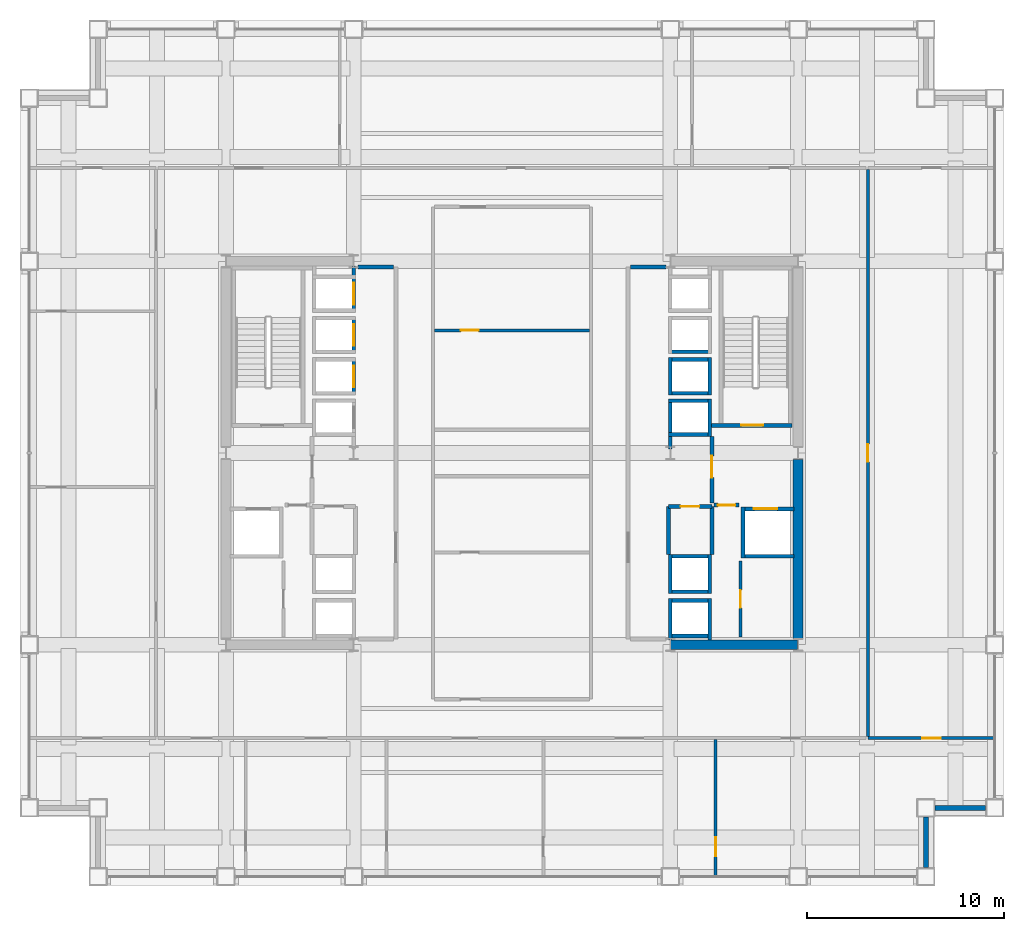
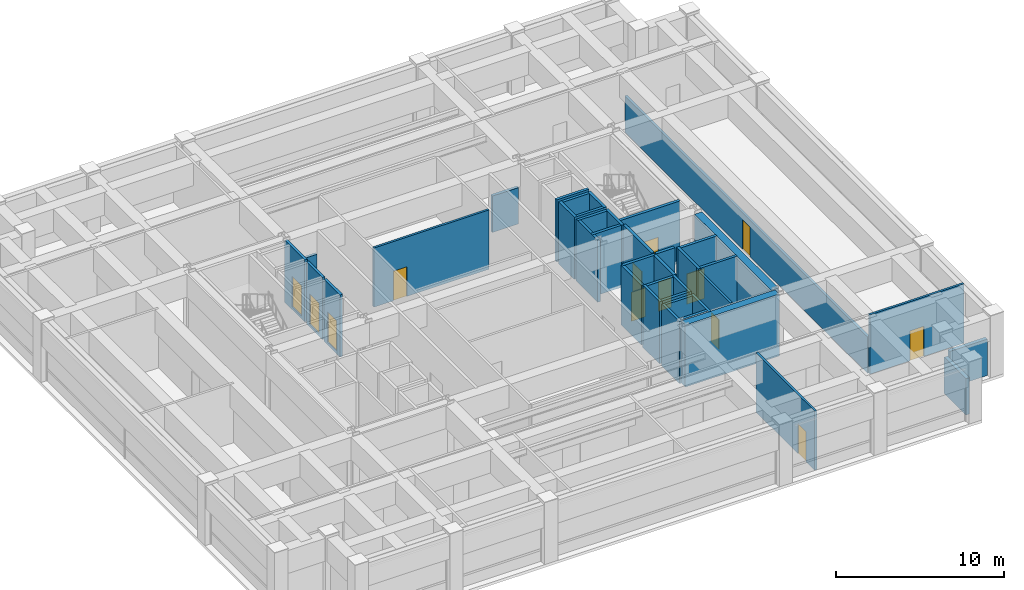
# One storey, part 27 of 29: 40 walls, 13 doors, 13 openings.
"""IFC4 building model written with IfcOpenShell, lengths in metres."""

from ifc_helpers import new_model, si_unit, direction, frame, frame_2d, origin, place, context, subcontext, project, spatial, rectangle, extrude, material, layer, layer_set, type_object, element, fill, save


model = new_model("IFC4")

# Units and contexts
model_context = context("Model", 3, precision=1e-05, world=origin(), true_north=direction((0.0, 1.0)))
body_context = subcontext(model_context, "Body", "Model", "MODEL_VIEW")
ifc_project = project(units=[si_unit("LENGTHUNIT", "METRE"), si_unit("AREAUNIT", "SQUARE_METRE"), si_unit("VOLUMEUNIT", "CUBIC_METRE"), si_unit("PLANEANGLEUNIT", "RADIAN"), si_unit("MASSUNIT", "GRAM", prefix="KILO")], contexts=[model_context])

# Site, building, storey
site_placement = place(None, origin())
site = spatial("IfcSite", under=ifc_project, at=site_placement, CompositionType="ELEMENT")
building_placement = place(site_placement, origin())
building = spatial("IfcBuilding", under=site, at=building_placement, Name="Brelmoor Portico Tower", CompositionType="ELEMENT")
storey_placement = place(building_placement, frame((0.0, 0.0, 82.800048828125)))
storey = spatial("IfcBuildingStorey", under=building, at=storey_placement, Name="L21", CompositionType="ELEMENT", Elevation=82.800048828125)

# Walls
ifc_material_1 = material(Name="Concrete C60", Category="concrete")
ifc_layer_1 = layer(ifc_material_1, 0.5)
ifc_layer_set_1 = layer_set([ifc_layer_1], Name="Concrete C60")
wall_type_1 = type_object("IfcWallType", Name="WL-CORE-500", PredefinedType="SHEAR", material=ifc_layer_set_1)
wall_1_placement = place(storey_placement, frame((8.070068359375, -9.75, -0.199951171875), z_axis=(0.0, 0.0, 1.0), x_axis=(1.0, 0.0, 0.0)))
element("IfcWall", 1, at=wall_1_placement, inside=storey, type_object=wall_type_1, Name="L21 EC South Shear Wall", PredefinedType="SHEAR", context=body_context, shape_type="SweptSolid", body=[
    extrude(rectangle(XDim=6.4599609375, YDim=0.5, at=frame_2d((3.22998046875, 0.0))), origin(), (0.0, 0.0, 1.0), 4.5),
])
wall_2_placement = place(storey_placement, frame((14.550048828125, -9.425048828125, -0.199951171875), z_axis=(0.0, 0.0, 1.0), x_axis=(0.0, 1.0, 0.0)))
element("IfcWall", 2, at=wall_2_placement, inside=storey, type_object=wall_type_1, Name="L21 EC Outer South Shear Wall", PredefinedType="SHEAR", context=body_context, shape_type="SweptSolid", body=[
    extrude(rectangle(XDim=9.10009765625, YDim=0.5, at=frame_2d((4.550048828125, 0.0))), origin(), (0.0, 0.0, 1.0), 4.5),
])
ifc_material_2 = material(Name="Precast Concrete C40 Insulated Facade Wall", Category="concrete")
ifc_layer_2 = layer(ifc_material_2, 0.25)
ifc_layer_set_2 = layer_set([ifc_layer_2], Name="Precast Concrete C40 Insulated Facade Wall")
wall_type_2 = type_object("IfcWallType", Name="WL-EXT-250", PredefinedType="STANDARD", material=ifc_layer_set_2)
for number, where, z_axis, x_axis, name in (
    (3, (21.510009765625, -18.050048828125, 0.0), (0.0, 0.0, 1.0), (1.0, 0.0, 0.0), "L21 Corner Notch Facade Wall NSEH1"),
    (4, (21.050048828125, -21.090087890625, 0.0), (0.0, 0.0, 1.0), (0.0, 1.0, 0.0), "L21 Corner Notch Facade Wall NSEV1"),
):
    element("IfcWall", number, at=place(storey_placement, frame(where, z_axis=z_axis, x_axis=x_axis)), inside=storey, type_object=wall_type_2, Name=name, PredefinedType="STANDARD", context=body_context, shape_type="SweptSolid", body=[
        extrude(rectangle(XDim=2.580078125, YDim=0.25, at=frame_2d((1.2900390625, 0.0))), origin(), (0.0, 0.0, 1.0), 2.639892578125),
    ])

# Wall, opening, door
ifc_material_3 = material(Name="Wet-Area Moisture-Resistant Partition", Category="gypsum")
ifc_layer_3 = layer(ifc_material_3, 0.14990234375)
ifc_layer_set_3 = layer_set([ifc_layer_3], Name="Wet-Area Moisture-Resistant Partition")
wall_type_3 = type_object("IfcWallType", Name="WL-PART-150", PredefinedType="PARTITIONING", material=ifc_layer_set_3)
wall_3_placement = place(storey_placement, frame((-3.949951171875, 6.239990234375, 0.0), z_axis=(0.0, 0.0, 1.0), x_axis=(1.0, 0.0, 0.0)))
wall_3 = element("IfcWall", 5, at=wall_3_placement, inside=storey, type_object=wall_type_3, Name="L21 Central Archive Divider", PredefinedType="PARTITIONING", context=body_context, shape_type="SweptSolid", body=[
    extrude(rectangle(XDim=7.89990234375, YDim=0.14990234375, at=frame_2d((3.949951171875, 0.0))), origin(), (0.0, 0.0, 1.0), 4.300048828125),
])
opening_1_placement = place(wall_3_placement, frame((1.35009765625, 0.0, 0.0)))
opening_1 = element("IfcOpeningElement", 6, at=opening_1_placement, cuts=wall_3, Name="Opening D-IN1", PredefinedType="OPENING", context=body_context, shape_type="SweptSolid", body=[
    extrude(rectangle(XDim=0.89990234375, YDim=2.14990234375, at=frame_2d((0.449951171875, 1.074951171875))), frame((0.0, 0.0849609375, 0.0), z_axis=(0.0, -1.0, 0.0), x_axis=(1.0, 0.0, 0.0)), (0.0, 0.0, 1.0), 0.169921875),
])
ifc_material_4 = material(Name="Lacquered Timber Suite Door", Category="wood")
door_type_1 = type_object("IfcDoorType", Name="DR-INT-900", OperationType="NOTDEFINED", PredefinedType="DOOR", material=ifc_material_4)
door_1_placement = place(opening_1_placement, origin())
door_1 = element("IfcDoor", 7, at=door_1_placement, inside=storey, type_object=door_type_1, Name="D-0928 L21 Central File Room Door", OperationType="SINGLE_SWING_LEFT", OverallHeight=2.14990234375, OverallWidth=0.89990234375, PredefinedType="DOOR", context=body_context, shape_type="SweptSolid", body=[
    extrude(rectangle(XDim=0.89990234375, YDim=2.14990234375, at=frame_2d((0.449951171875, 1.074951171875))), frame((0.0, 0.02490234375, 0.0), z_axis=(0.0, -1.0, 0.0), x_axis=(1.0, 0.0, 0.0)), (0.0, 0.0, 1.0), 0.050048828125),
])
fill(opening_1, door_1)

wall_4_placement = place(storey_placement, frame((10.353271484375, -21.56005859375, 0.0), z_axis=(0.0, 0.0, 1.0), x_axis=(0.0, 1.0, 0.0)))
wall_4 = element("IfcWall", 8, at=wall_4_placement, inside=storey, type_object=wall_type_3, Name="L21 South Suite Partition 4", PredefinedType="PARTITIONING", context=body_context, shape_type="SweptSolid", body=[
    extrude(rectangle(XDim=7.0, YDim=0.14990234375, at=frame_2d((3.5, 0.0))), origin(), (0.0, 0.0, 1.0), 4.300048828125),
])
opening_2_placement = place(wall_4_placement, frame((1.050048828125, 0.0, 0.0)))
opening_2 = element("IfcOpeningElement", 9, at=opening_2_placement, cuts=wall_4, Name="Opening D-IN2", PredefinedType="OPENING", context=body_context, shape_type="SweptSolid", body=[
    extrude(rectangle(XDim=0.9599609375, YDim=2.179931640625, at=frame_2d((0.47998046875, 1.08984375))), frame((0.0, 0.0849609375, 0.0), z_axis=(0.0, -1.0, 0.0), x_axis=(1.0, 0.0, 0.0)), (0.0, 0.0, 1.0), 0.169921875),
])
door_type_2 = type_object("IfcDoorType", Name="DR-INT-950", OperationType="NOTDEFINED", PredefinedType="DOOR", material=ifc_material_4)
door_2_placement = place(opening_2_placement, origin())
door_2 = element("IfcDoor", 10, at=door_2_placement, inside=storey, type_object=door_type_2, Name="D-0956 L21 South Suite Connecting Door 4", OperationType="SINGLE_SWING_RIGHT", OverallHeight=2.179931640625, OverallWidth=0.9599609375, PredefinedType="DOOR", context=body_context, shape_type="SweptSolid", body=[
    extrude(rectangle(XDim=0.9599609375, YDim=2.179931640625, at=frame_2d((0.47998046875, 1.08984375))), frame((0.0, 0.02490234375, 0.0), z_axis=(0.0, -1.0, 0.0), x_axis=(1.0, 0.0, 0.0)), (0.0, 0.0, 1.0), 0.050048828125),
])
fill(opening_2, door_2)

wall_5_placement = place(storey_placement, frame((18.10009765625, -14.5, 0.0), z_axis=(0.0, 0.0, 1.0), x_axis=(1.0, 0.0, 0.0)))
wall_5 = element("IfcWall", 11, at=wall_5_placement, inside=storey, type_object=wall_type_3, Name="L21 South Outer Closure ER", PredefinedType="PARTITIONING", context=body_context, shape_type="SweptSolid", body=[
    extrude(rectangle(XDim=6.4599609375, YDim=0.14990234375, at=frame_2d((3.22998046875, 0.0))), origin(), (0.0, 0.0, 1.0), 4.300048828125),
])
opening_3_placement = place(wall_5_placement, frame((2.75, 0.0, 0.0)))
opening_3 = element("IfcOpeningElement", 12, at=opening_3_placement, cuts=wall_5, Name="Opening D-IN2", PredefinedType="OPENING", context=body_context, shape_type="SweptSolid", body=[
    extrude(rectangle(XDim=0.9599609375, YDim=2.179931640625, at=frame_2d((0.47998046875, 1.08984375))), frame((0.0, 0.0849609375, 0.0), z_axis=(0.0, -1.0, 0.0), x_axis=(1.0, 0.0, 0.0)), (0.0, 0.0, 1.0), 0.169921875),
])
door_3_placement = place(opening_3_placement, origin())
door_3 = element("IfcDoor", 13, at=door_3_placement, inside=storey, type_object=door_type_2, Name="D-0959 L21 ER South Corner Suite Door", OperationType="SINGLE_SWING_RIGHT", OverallHeight=2.179931640625, OverallWidth=0.9599609375, PredefinedType="DOOR", context=body_context, shape_type="SweptSolid", body=[
    extrude(rectangle(XDim=0.9599609375, YDim=2.179931640625, at=frame_2d((0.47998046875, 1.08984375))), frame((0.0, 0.02490234375, 0.0), z_axis=(0.0, -1.0, 0.0), x_axis=(1.0, 0.0, 0.0)), (0.0, 0.0, 1.0), 0.050048828125),
])
fill(opening_3, door_3)

ifc_material_5 = material(Name="Twin-Frame Acoustic Partition", Category="gypsum")
ifc_layer_4 = layer(ifc_material_5, 0.159912109375)
ifc_layer_set_4 = layer_set([ifc_layer_4], Name="Twin-Frame Acoustic Partition")
wall_type_4 = type_object("IfcWallType", Name="WL-PART-160", PredefinedType="PARTITIONING", material=ifc_layer_set_4)
wall_6_placement = place(storey_placement, frame((11.6201171875, -9.35009765625, 0.0), z_axis=(0.0, 0.0, 1.0), x_axis=(0.0, 1.0, 0.0)))
wall_6 = element("IfcWall", 14, at=wall_6_placement, inside=storey, type_object=wall_type_4, Name="L21 E Core Service Front Wall", PredefinedType="PARTITIONING", context=body_context, shape_type="SweptSolid", body=[
    extrude(rectangle(XDim=3.85009765625, YDim=0.159912109375, at=frame_2d((1.925048828125, 0.0))), origin(), (0.0, 0.0, 1.0), 4.300048828125),
])
opening_4_placement = place(wall_6_placement, frame((1.47509765625, 0.0, 0.0)))
opening_4 = element("IfcOpeningElement", 15, at=opening_4_placement, cuts=wall_6, Name="Opening D-IN1", PredefinedType="OPENING", context=body_context, shape_type="SweptSolid", body=[
    extrude(rectangle(XDim=0.89990234375, YDim=2.14990234375, at=frame_2d((0.449951171875, 1.074951171875))), frame((0.0, 0.08984375, 0.0), z_axis=(0.0, -1.0, 0.0), x_axis=(1.0, 0.0, 0.0)), (0.0, 0.0, 1.0), 0.179931640625),
])
door_4_placement = place(opening_4_placement, origin())
door_4 = element("IfcDoor", 16, at=door_4_placement, inside=storey, type_object=door_type_1, Name="D-0931 L21 E Male WC Door", OperationType="SINGLE_SWING_RIGHT", OverallHeight=2.14990234375, OverallWidth=0.89990234375, PredefinedType="DOOR", context=body_context, shape_type="SweptSolid", body=[
    extrude(rectangle(XDim=0.89990234375, YDim=2.14990234375, at=frame_2d((0.449951171875, 1.074951171875))), frame((0.0, 0.02490234375, 0.0), z_axis=(0.0, -1.0, 0.0), x_axis=(1.0, 0.0, 0.0)), (0.0, 0.0, 1.0), 0.050048828125),
])
fill(opening_4, door_4)

wall_7_placement = place(storey_placement, frame((18.10009765625, -14.419921875, 0.0), z_axis=(0.0, 0.0, 1.0), x_axis=(0.0, 1.0, 0.0)))
wall_7 = element("IfcWall", 17, at=wall_7_placement, inside=storey, type_object=wall_type_4, Name="L21 E Wing Corridor Wall", PredefinedType="PARTITIONING", context=body_context, shape_type="SweptSolid", body=[
    extrude(rectangle(XDim=28.83984375, YDim=0.159912109375, at=frame_2d((14.419921875, 0.0))), origin(), (0.0, 0.0, 1.0), 2.639892578125),
])
opening_5_placement = place(wall_7_placement, frame((13.969970703125, 0.0, 0.0)))
opening_5 = element("IfcOpeningElement", 18, at=opening_5_placement, cuts=wall_7, Name="Opening D-IN1", PredefinedType="OPENING", context=body_context, shape_type="SweptSolid", body=[
    extrude(rectangle(XDim=0.89990234375, YDim=2.14990234375, at=frame_2d((0.449951171875, 1.074951171875))), frame((0.0, 0.08984375, 0.0), z_axis=(0.0, -1.0, 0.0), x_axis=(1.0, 0.0, 0.0)), (0.0, 0.0, 1.0), 0.179931640625),
])
door_5_placement = place(opening_5_placement, origin())
door_5 = element("IfcDoor", 19, at=door_5_placement, inside=storey, type_object=door_type_1, Name="D-0961 L21 E Partner Cellular Office 1 Door", OperationType="SINGLE_SWING_RIGHT", OverallHeight=2.14990234375, OverallWidth=0.89990234375, PredefinedType="DOOR", context=body_context, shape_type="SweptSolid", body=[
    extrude(rectangle(XDim=0.89990234375, YDim=2.14990234375, at=frame_2d((0.449951171875, 1.074951171875))), frame((0.0, 0.02490234375, 0.0), z_axis=(0.0, -1.0, 0.0), x_axis=(1.0, 0.0, 0.0)), (0.0, 0.0, 1.0), 0.050048828125),
])
fill(opening_5, door_5)

# Walls
ifc_material_6 = material(Name="Double-Stud Gypsum Fire Partition", Category="gypsum")
ifc_layer_5 = layer(ifc_material_6, 0.199951171875)
ifc_layer_set_5 = layer_set([ifc_layer_5], Name="Double-Stud Gypsum Fire Partition")
wall_type_5 = type_object("IfcWallType", Name="WL-PART-200", PredefinedType="PARTITIONING", material=ifc_layer_set_5)
for number, where, z_axis, x_axis, name in (
    (20, (-6.02001953125, 9.449951171875, 0.0), (0.0, 0.0, 1.0), (-1.0, 0.0, 0.0), "L21 W Lift Lobby North End Wall"),
    (21, (6.02001953125, 9.449951171875, 0.0), (0.0, 0.0, 1.0), (1.0, 0.0, 0.0), "L21 E Lift Lobby North End Wall"),
):
    element("IfcWall", number, at=place(storey_placement, frame(where, z_axis=z_axis, x_axis=x_axis)), inside=storey, type_object=wall_type_5, Name=name, PredefinedType="PARTITIONING", context=body_context, shape_type="SweptSolid", body=[
        extrude(rectangle(XDim=1.800048828125, YDim=0.199951171875, at=frame_2d((0.89990234375, 0.0))), origin(), (0.0, 0.0, 1.0), 2.639892578125),
    ])

# Wall, opening, door
wall_8_placement = place(storey_placement, frame((10.159912109375, -2.550048828125, 0.0), z_axis=(0.0, 0.0, 1.0), x_axis=(0.0, 1.0, 0.0)))
wall_8 = element("IfcWall", 22, at=wall_8_placement, inside=storey, type_object=wall_type_5, Name="L21 E Firefighting Lobby Wall", PredefinedType="PARTITIONING", context=body_context, shape_type="SweptSolid", body=[
    extrude(rectangle(XDim=3.400146484375, YDim=0.199951171875, at=frame_2d((1.7001953125, 0.0))), origin(), (0.0, 0.0, 1.0), 4.300048828125),
])
opening_6_placement = place(wall_8_placement, frame((1.300048828125, 0.0, 0.0)))
opening_6 = element("IfcOpeningElement", 23, at=opening_6_placement, cuts=wall_8, Name="Opening D-FR1", PredefinedType="OPENING", context=body_context, shape_type="SweptSolid", body=[
    extrude(rectangle(XDim=1.10009765625, YDim=2.14990234375, at=frame_2d((0.550048828125, 1.074951171875))), frame((0.0, 0.10986328125, 0.0), z_axis=(0.0, -1.0, 0.0), x_axis=(1.0, 0.0, 0.0)), (0.0, 0.0, 1.0), 0.219970703125),
])
ifc_material_7 = material(Name="Painted Galvanised Steel Fire Door", Category="steel")
door_type_3 = type_object("IfcDoorType", Name="DR-FIRE-1100", OperationType="NOTDEFINED", PredefinedType="DOOR", material=ifc_material_7)
door_6_placement = place(opening_6_placement, origin())
door_6 = element("IfcDoor", 24, at=door_6_placement, inside=storey, type_object=door_type_3, Name="D-0937 L21 E Firefighting Lobby Door", OperationType="SINGLE_SWING_LEFT", OverallHeight=2.14990234375, OverallWidth=1.10009765625, PredefinedType="DOOR", context=body_context, shape_type="SweptSolid", body=[
    extrude(rectangle(XDim=1.10009765625, YDim=2.14990234375, at=frame_2d((0.550048828125, 1.074951171875))), frame((0.0, 0.02490234375, 0.0), z_axis=(0.0, -1.0, 0.0), x_axis=(1.0, 0.0, 0.0)), (0.0, 0.0, 1.0), 0.050048828125),
])
fill(opening_6, door_6)

wall_9_placement = place(storey_placement, frame((10.280029296875, -2.64990234375, 0.0), z_axis=(0.0, 0.0, 1.0), x_axis=(1.0, 0.0, 0.0)))
wall_9 = element("IfcWall", 25, at=wall_9_placement, inside=storey, type_object=wall_type_5, Name="L21 E Firefighting Lobby South Wall", PredefinedType="PARTITIONING", context=body_context, shape_type="SweptSolid", body=[
    extrude(rectangle(XDim=1.27001953125, YDim=0.199951171875, at=frame_2d((0.635009765625, 0.0))), origin(), (0.0, 0.0, 1.0), 4.300048828125),
])
opening_7_placement = place(wall_9_placement, frame((0.18505859375, 0.0, 0.0)))
opening_7 = element("IfcOpeningElement", 26, at=opening_7_placement, cuts=wall_9, Name="Opening D-IN1", PredefinedType="OPENING", context=body_context, shape_type="SweptSolid", body=[
    extrude(rectangle(XDim=0.89990234375, YDim=2.14990234375, at=frame_2d((0.449951171875, 1.074951171875))), frame((0.0, 0.10986328125, 0.0), z_axis=(0.0, -1.0, 0.0), x_axis=(1.0, 0.0, 0.0)), (0.0, 0.0, 1.0), 0.219970703125),
])
door_7_placement = place(opening_7_placement, origin())
door_7 = element("IfcDoor", 27, at=door_7_placement, inside=storey, type_object=door_type_1, Name="D-0932 L21 E Core Service Vestibule Door", OperationType="SINGLE_SWING_RIGHT", OverallHeight=2.14990234375, OverallWidth=0.89990234375, PredefinedType="DOOR", context=body_context, shape_type="SweptSolid", body=[
    extrude(rectangle(XDim=0.89990234375, YDim=2.14990234375, at=frame_2d((0.449951171875, 1.074951171875))), frame((0.0, 0.02490234375, 0.0), z_axis=(0.0, -1.0, 0.0), x_axis=(1.0, 0.0, 0.0)), (0.0, 0.0, 1.0), 0.050048828125),
])
fill(opening_7, door_7)

wall_10_placement = place(storey_placement, frame((7.9599609375, -2.719970703125, 0.0), z_axis=(0.0, 0.0, 1.0), x_axis=(1.0, 0.0, 0.0)))
wall_10 = element("IfcWall", 28, at=wall_10_placement, inside=storey, type_object=wall_type_5, Name="L21 E Electrical Switchgear Closet Wall", PredefinedType="PARTITIONING", context=body_context, shape_type="SweptSolid", body=[
    extrude(rectangle(XDim=2.199951171875, YDim=0.199951171875, at=frame_2d((1.10009765625, 0.0))), origin(), (0.0, 0.0, 1.0), 4.300048828125),
])
opening_8_placement = place(wall_10_placement, frame((0.6201171875, 0.0, 0.0)))
opening_8 = element("IfcOpeningElement", 29, at=opening_8_placement, cuts=wall_10, Name="Opening D-FR4", PredefinedType="OPENING", context=body_context, shape_type="SweptSolid", body=[
    extrude(rectangle(XDim=0.949951171875, YDim=2.10009765625, at=frame_2d((0.47509765625, 1.050048828125))), frame((0.0, 0.10986328125, 0.0), z_axis=(0.0, -1.0, 0.0), x_axis=(1.0, 0.0, 0.0)), (0.0, 0.0, 1.0), 0.219970703125),
])
ifc_material_8 = material(Name="Painted Galvanised Steel Riser Door", Category="steel")
door_type_4 = type_object("IfcDoorType", Name="DR-FIRE-950", OperationType="NOTDEFINED", PredefinedType="DOOR", material=ifc_material_8)
door_8_placement = place(opening_8_placement, origin())
door_8 = element("IfcDoor", 30, at=door_8_placement, inside=storey, type_object=door_type_4, Name="D-0935 L21 E Electrical Switchgear Closet Door", OperationType="SINGLE_SWING_LEFT", OverallHeight=2.10009765625, OverallWidth=0.949951171875, PredefinedType="DOOR", context=body_context, shape_type="SweptSolid", body=[
    extrude(rectangle(XDim=0.949951171875, YDim=2.10009765625, at=frame_2d((0.47509765625, 1.050048828125))), frame((0.0, 0.02490234375, 0.0), z_axis=(0.0, -1.0, 0.0), x_axis=(1.0, 0.0, 0.0)), (0.0, 0.0, 1.0), 0.050048828125),
])
fill(opening_8, door_8)

# Walls
for number, where, z_axis, x_axis, name in (
    (31, (7.9599609375, -5.159912109375, 0.0), (0.0, 0.0, 1.0), (0.0, 1.0, 0.0), "L21 E Electrical Switchgear Closet Inner Wall"),
    (32, (10.159912109375, -5.159912109375, 0.0), (0.0, 0.0, 1.0), (0.0, 1.0, 0.0), "L21 E Electrical Switchgear Closet Outer Wall"),
):
    element("IfcWall", number, at=place(storey_placement, frame(where, z_axis=z_axis, x_axis=x_axis)), inside=storey, type_object=wall_type_5, Name=name, PredefinedType="PARTITIONING", context=body_context, shape_type="SweptSolid", body=[
        extrude(rectangle(XDim=2.43994140625, YDim=0.199951171875, at=frame_2d((1.219970703125, 0.0))), origin(), (0.0, 0.0, 1.0), 4.300048828125),
    ])

# Wall, opening, door
ifc_material_9 = material(Name="Precast Concrete C40", Category="concrete")
ifc_layer_6 = layer(ifc_material_9, 0.18994140625)
ifc_layer_set_6 = layer_set([ifc_layer_6], Name="Precast Concrete C40")
wall_type_6 = type_object("IfcWallType", Name="WL-SHAFT-180", PredefinedType="SOLIDWALL", material=ifc_layer_set_6)
wall_11_placement = place(storey_placement, frame((-8.044921875, 2.949951171875, -0.199951171875), z_axis=(0.0, 0.0, 1.0), x_axis=(0.0, 1.0, 0.0)))
wall_11 = element("IfcWall", 33, at=wall_11_placement, inside=storey, type_object=wall_type_6, Name="L21 Lift PL2 Hoistway Front Wall", PredefinedType="SOLIDWALL", context=body_context, shape_type="SweptSolid", body=[
    extrude(rectangle(XDim=1.900146484375, YDim=0.18994140625, at=frame_2d((0.9501953125, 0.0))), origin(), (0.0, 0.0, 1.0), 4.5),
])
opening_9_placement = place(wall_11_placement, frame((0.39990234375, 0.0, 0.199951171875)))
opening_9 = element("IfcOpeningElement", 34, at=opening_9_placement, cuts=wall_11, Name="Opening LD-01", PredefinedType="OPENING", context=body_context, shape_type="SweptSolid", body=[
    extrude(rectangle(XDim=1.10009765625, YDim=2.199951171875, at=frame_2d((0.550048828125, 1.10009765625))), frame((0.0, 0.10498046875, 0.0), z_axis=(0.0, -1.0, 0.0), x_axis=(1.0, 0.0, 0.0)), (0.0, 0.0, 1.0), 0.2099609375),
])
ifc_material_10 = material(Name="Brushed Stainless Steel Sliding Lift Door", Category="steel")
door_type_5 = type_object("IfcDoorType", Name="DR-LIFT-1100", OperationType="NOTDEFINED", PredefinedType="DOOR", material=ifc_material_10)
door_9_placement = place(opening_9_placement, origin())
door_9 = element("IfcDoor", 35, at=door_9_placement, inside=storey, type_object=door_type_5, Name="D-0970 L21 Lift PL2 Sliding Landing Door", OperationType="SLIDING_TO_LEFT", OverallHeight=2.199951171875, OverallWidth=1.10009765625, PredefinedType="DOOR", context=body_context, shape_type="SweptSolid", body=[
    extrude(rectangle(XDim=1.10009765625, YDim=2.199951171875, at=frame_2d((0.550048828125, 1.10009765625))), frame((0.0, 0.02490234375, 0.0), z_axis=(0.0, -1.0, 0.0), x_axis=(1.0, 0.0, 0.0)), (0.0, 0.0, 1.0), 0.050048828125),
])
fill(opening_9, door_9)

wall_12_placement = place(storey_placement, frame((-8.044921875, 5.050048828125, -0.199951171875), z_axis=(0.0, 0.0, 1.0), x_axis=(0.0, 1.0, 0.0)))
wall_12 = element("IfcWall", 36, at=wall_12_placement, inside=storey, type_object=wall_type_6, Name="L21 Lift PL3 Hoistway Front Wall", PredefinedType="SOLIDWALL", context=body_context, shape_type="SweptSolid", body=[
    extrude(rectangle(XDim=1.89990234375, YDim=0.18994140625, at=frame_2d((0.949951171875, 0.0))), origin(), (0.0, 0.0, 1.0), 4.5),
])
opening_10_placement = place(wall_12_placement, frame((0.39990234375, 0.0, 0.199951171875)))
opening_10 = element("IfcOpeningElement", 37, at=opening_10_placement, cuts=wall_12, Name="Opening LD-01", PredefinedType="OPENING", context=body_context, shape_type="SweptSolid", body=[
    extrude(rectangle(XDim=1.10009765625, YDim=2.199951171875, at=frame_2d((0.550048828125, 1.10009765625))), frame((0.0, 0.10498046875, 0.0), z_axis=(0.0, -1.0, 0.0), x_axis=(1.0, 0.0, 0.0)), (0.0, 0.0, 1.0), 0.2099609375),
])
door_10_placement = place(opening_10_placement, origin())
door_10 = element("IfcDoor", 38, at=door_10_placement, inside=storey, type_object=door_type_5, Name="D-0971 L21 Lift PL3 Sliding Landing Door", OperationType="SLIDING_TO_LEFT", OverallHeight=2.199951171875, OverallWidth=1.10009765625, PredefinedType="DOOR", context=body_context, shape_type="SweptSolid", body=[
    extrude(rectangle(XDim=1.10009765625, YDim=2.199951171875, at=frame_2d((0.550048828125, 1.10009765625))), frame((0.0, 0.02490234375, 0.0), z_axis=(0.0, -1.0, 0.0), x_axis=(1.0, 0.0, 0.0)), (0.0, 0.0, 1.0), 0.050048828125),
])
fill(opening_10, door_10)

wall_13_placement = place(storey_placement, frame((-8.044921875, 7.14990234375, -0.199951171875), z_axis=(0.0, 0.0, 1.0), x_axis=(0.0, 1.0, 0.0)))
wall_13 = element("IfcWall", 39, at=wall_13_placement, inside=storey, type_object=wall_type_6, Name="L21 Lift PL4 Hoistway Front Wall", PredefinedType="SOLIDWALL", context=body_context, shape_type="SweptSolid", body=[
    extrude(rectangle(XDim=2.3701171875, YDim=0.18994140625, at=frame_2d((1.18505859375, 0.0))), origin(), (0.0, 0.0, 1.0), 4.5),
])
opening_11_placement = place(wall_13_placement, frame((0.39990234375, 0.0, 0.199951171875)))
opening_11 = element("IfcOpeningElement", 40, at=opening_11_placement, cuts=wall_13, Name="Opening LD-01", PredefinedType="OPENING", context=body_context, shape_type="SweptSolid", body=[
    extrude(rectangle(XDim=1.10009765625, YDim=2.199951171875, at=frame_2d((0.550048828125, 1.10009765625))), frame((0.0, 0.10498046875, 0.0), z_axis=(0.0, -1.0, 0.0), x_axis=(1.0, 0.0, 0.0)), (0.0, 0.0, 1.0), 0.2099609375),
])
door_11_placement = place(opening_11_placement, origin())
door_11 = element("IfcDoor", 41, at=door_11_placement, inside=storey, type_object=door_type_5, Name="D-0972 L21 Lift PL4 Sliding Landing Door", OperationType="SLIDING_TO_LEFT", OverallHeight=2.199951171875, OverallWidth=1.10009765625, PredefinedType="DOOR", context=body_context, shape_type="SweptSolid", body=[
    extrude(rectangle(XDim=1.10009765625, YDim=2.199951171875, at=frame_2d((0.550048828125, 1.10009765625))), frame((0.0, 0.02490234375, 0.0), z_axis=(0.0, -1.0, 0.0), x_axis=(1.0, 0.0, 0.0)), (0.0, 0.0, 1.0), 0.050048828125),
])
fill(opening_11, door_11)

# Walls
wall_14_placement = place(storey_placement, frame((8.044921875, 0.2099609375, -0.199951171875), z_axis=(0.0, 0.0, 1.0), x_axis=(0.0, 1.0, 0.0)))
element("IfcWall", 42, at=wall_14_placement, inside=storey, type_object=wall_type_6, Name="L21 Lift PM1 Hoistway Front Wall", PredefinedType="SOLIDWALL", context=body_context, shape_type="SweptSolid", body=[
    extrude(rectangle(XDim=2.5400390625, YDim=0.18994140625, at=frame_2d((1.27001953125, 0.0))), origin(), (0.0, 0.0, 1.0), 4.5),
])
wall_15_placement = place(storey_placement, frame((10.054931640625, 0.85009765625, -0.199951171875), z_axis=(0.0, 0.0, 1.0), x_axis=(0.0, 1.0, 0.0)))
element("IfcWall", 43, at=wall_15_placement, inside=storey, type_object=wall_type_6, Name="L21 Lift PM1 Hoistway Back Wall", PredefinedType="SOLIDWALL", context=body_context, shape_type="SweptSolid", body=[
    extrude(rectangle(XDim=1.89990234375, YDim=0.18994140625, at=frame_2d((0.949951171875, 0.0))), origin(), (0.0, 0.0, 1.0), 4.5),
])
for number, where, z_axis, x_axis, name in (
    (44, (7.949951171875, 2.655029296875, -0.199951171875), (0.0, 0.0, 1.0), (1.0, 0.0, 0.0), "L21 Lift PM1 Hoistway North Wall"),
    (45, (7.949951171875, 0.945068359375, -0.199951171875), (0.0, 0.0, 1.0), (1.0, 0.0, 0.0), "L21 Lift PM1 Hoistway South Wall"),
):
    element("IfcWall", number, at=place(storey_placement, frame(where, z_axis=z_axis, x_axis=x_axis)), inside=storey, type_object=wall_type_6, Name=name, PredefinedType="SOLIDWALL", context=body_context, shape_type="SweptSolid", body=[
        extrude(rectangle(XDim=2.199951171875, YDim=0.18994140625, at=frame_2d((1.10009765625, 0.0))), origin(), (0.0, 0.0, 1.0), 4.5),
    ])
for number, where, z_axis, x_axis, name in (
    (46, (8.044921875, 2.949951171875, -0.199951171875), (0.0, 0.0, 1.0), (0.0, 1.0, 0.0), "L21 Lift PM2 Hoistway Front Wall"),
    (47, (10.054931640625, 2.949951171875, -0.199951171875), (0.0, 0.0, 1.0), (0.0, 1.0, 0.0), "L21 Lift PM2 Hoistway Back Wall"),
):
    element("IfcWall", number, at=place(storey_placement, frame(where, z_axis=z_axis, x_axis=x_axis)), inside=storey, type_object=wall_type_6, Name=name, PredefinedType="SOLIDWALL", context=body_context, shape_type="SweptSolid", body=[
        extrude(rectangle(XDim=1.900146484375, YDim=0.18994140625, at=frame_2d((0.9501953125, 0.0))), origin(), (0.0, 0.0, 1.0), 4.5),
    ])
for number, where, z_axis, x_axis, name in (
    (48, (7.949951171875, 4.7548828125, -0.199951171875), (0.0, 0.0, 1.0), (1.0, 0.0, 0.0), "L21 Lift PM2 Hoistway North Wall"),
    (49, (7.949951171875, 3.044921875, -0.199951171875), (0.0, 0.0, 1.0), (1.0, 0.0, 0.0), "L21 Lift PM2 Hoistway South Wall"),
    (50, (7.949951171875, 5.14501953125, -0.199951171875), (0.0, 0.0, 1.0), (1.0, 0.0, 0.0), "L21 Lift PM3 Hoistway South Wall"),
):
    element("IfcWall", number, at=place(storey_placement, frame(where, z_axis=z_axis, x_axis=x_axis)), inside=storey, type_object=wall_type_6, Name=name, PredefinedType="SOLIDWALL", context=body_context, shape_type="SweptSolid", body=[
        extrude(rectangle(XDim=2.199951171875, YDim=0.18994140625, at=frame_2d((1.10009765625, 0.0))), origin(), (0.0, 0.0, 1.0), 4.5),
    ])
for number, where, z_axis, x_axis, name in (
    (51, (8.044921875, -9.52001953125, -0.199951171875), (0.0, 0.0, 1.0), (0.0, 1.0, 0.0), "L21 Lift PH3 Hoistway Front Wall"),
    (52, (10.054931640625, -9.52001953125, -0.199951171875), (0.0, 0.0, 1.0), (0.0, 1.0, 0.0), "L21 Lift PH3 Hoistway Back Wall"),
):
    element("IfcWall", number, at=place(storey_placement, frame(where, z_axis=z_axis, x_axis=x_axis)), inside=storey, type_object=wall_type_6, Name=name, PredefinedType="SOLIDWALL", context=body_context, shape_type="SweptSolid", body=[
        extrude(rectangle(XDim=2.1201171875, YDim=0.18994140625, at=frame_2d((1.06005859375, 0.0))), origin(), (0.0, 0.0, 1.0), 4.5),
    ])
for number, where, z_axis, x_axis, name in (
    (53, (7.949951171875, -7.4951171875, -0.199951171875), (0.0, 0.0, 1.0), (1.0, 0.0, 0.0), "L21 Lift PH3 Hoistway North Wall"),
    (54, (7.949951171875, -9.304931640625, -0.199951171875), (0.0, 0.0, 1.0), (1.0, 0.0, 0.0), "L21 Lift PH3 Hoistway South Wall"),
):
    element("IfcWall", number, at=place(storey_placement, frame(where, z_axis=z_axis, x_axis=x_axis)), inside=storey, type_object=wall_type_6, Name=name, PredefinedType="SOLIDWALL", context=body_context, shape_type="SweptSolid", body=[
        extrude(rectangle(XDim=2.199951171875, YDim=0.18994140625, at=frame_2d((1.10009765625, 0.0))), origin(), (0.0, 0.0, 1.0), 4.5),
    ])
for number, where, z_axis, x_axis, name in (
    (55, (8.044921875, -7.14990234375, -0.199951171875), (0.0, 0.0, 1.0), (0.0, 1.0, 0.0), "L21 Lift PH4 Hoistway Front Wall"),
    (56, (10.054931640625, -7.14990234375, -0.199951171875), (0.0, 0.0, 1.0), (0.0, 1.0, 0.0), "L21 Lift PH4 Hoistway Back Wall"),
):
    element("IfcWall", number, at=place(storey_placement, frame(where, z_axis=z_axis, x_axis=x_axis)), inside=storey, type_object=wall_type_6, Name=name, PredefinedType="SOLIDWALL", context=body_context, shape_type="SweptSolid", body=[
        extrude(rectangle(XDim=2.0, YDim=0.18994140625, at=frame_2d((1.0, 0.0))), origin(), (0.0, 0.0, 1.0), 4.5),
    ])
for number, where, z_axis, x_axis, name in (
    (57, (7.949951171875, -5.2451171875, -0.199951171875), (0.0, 0.0, 1.0), (1.0, 0.0, 0.0), "L21 Lift PH4 Hoistway North Wall"),
    (58, (7.949951171875, -7.054931640625, -0.199951171875), (0.0, 0.0, 1.0), (1.0, 0.0, 0.0), "L21 Lift PH4 Hoistway South Wall"),
):
    element("IfcWall", number, at=place(storey_placement, frame(where, z_axis=z_axis, x_axis=x_axis)), inside=storey, type_object=wall_type_6, Name=name, PredefinedType="SOLIDWALL", context=body_context, shape_type="SweptSolid", body=[
        extrude(rectangle(XDim=2.199951171875, YDim=0.18994140625, at=frame_2d((1.10009765625, 0.0))), origin(), (0.0, 0.0, 1.0), 4.5),
    ])

# Wall, opening, door
wall_16_placement = place(storey_placement, frame((11.64990234375, -2.844970703125, -0.199951171875), z_axis=(0.0, 0.0, 1.0), x_axis=(1.0, 0.0, 0.0)))
wall_16 = element("IfcWall", 59, at=wall_16_placement, inside=storey, type_object=wall_type_6, Name="L21 Lift FF2 Hoistway Front Wall", PredefinedType="SOLIDWALL", context=body_context, shape_type="SweptSolid", body=[
    extrude(rectangle(XDim=2.68017578125, YDim=0.18994140625, at=frame_2d((1.340087890625, 0.0))), origin(), (0.0, 0.0, 1.0), 4.5),
])
opening_12_placement = place(wall_16_placement, frame((0.64990234375, 0.0, 0.199951171875)))
opening_12 = element("IfcOpeningElement", 60, at=opening_12_placement, cuts=wall_16, Name="Opening LD-02", PredefinedType="OPENING", context=body_context, shape_type="SweptSolid", body=[
    extrude(rectangle(XDim=1.199951171875, YDim=2.199951171875, at=frame_2d((0.60009765625, 1.10009765625))), frame((0.0, 0.10498046875, 0.0), z_axis=(0.0, -1.0, 0.0), x_axis=(1.0, 0.0, 0.0)), (0.0, 0.0, 1.0), 0.2099609375),
])
ifc_material_11 = material(Name="Brushed Stainless Steel Firefighting Lift Door", Category="steel")
door_type_6 = type_object("IfcDoorType", Name="DR-LIFT-1200", OperationType="NOTDEFINED", PredefinedType="DOOR", material=ifc_material_11)
door_12_placement = place(opening_12_placement, origin())
door_12 = element("IfcDoor", 61, at=door_12_placement, inside=storey, type_object=door_type_6, Name="D-0968 L21 Lift FF2 Sliding Landing Door", OperationType="SLIDING_TO_LEFT", OverallHeight=2.199951171875, OverallWidth=1.199951171875, PredefinedType="DOOR", context=body_context, shape_type="SweptSolid", body=[
    extrude(rectangle(XDim=1.199951171875, YDim=2.199951171875, at=frame_2d((0.60009765625, 1.10009765625))), frame((0.0, 0.02490234375, 0.0), z_axis=(0.0, -1.0, 0.0), x_axis=(1.0, 0.0, 0.0)), (0.0, 0.0, 1.0), 0.050048828125),
])
fill(opening_12, door_12)

# Walls
wall_17_placement = place(storey_placement, frame((11.64990234375, -5.2548828125, -0.199951171875), z_axis=(0.0, 0.0, 1.0), x_axis=(1.0, 0.0, 0.0)))
element("IfcWall", 62, at=wall_17_placement, inside=storey, type_object=wall_type_6, Name="L21 Firefighting Lift FF2 South Wall", PredefinedType="SOLIDWALL", context=body_context, shape_type="SweptSolid", body=[
    extrude(rectangle(XDim=2.68017578125, YDim=0.18994140625, at=frame_2d((1.340087890625, 0.0))), origin(), (0.0, 0.0, 1.0), 4.5),
])
wall_18_placement = place(storey_placement, frame((11.7451171875, -5.35009765625, -0.199951171875), z_axis=(0.0, 0.0, 1.0), x_axis=(0.0, 1.0, 0.0)))
element("IfcWall", 63, at=wall_18_placement, inside=storey, type_object=wall_type_6, Name="L21 Firefighting Lift FF2 Inner Wall", PredefinedType="SOLIDWALL", context=body_context, shape_type="SweptSolid", body=[
    extrude(rectangle(XDim=2.60009765625, YDim=0.18994140625, at=frame_2d((1.300048828125, 0.0))), origin(), (0.0, 0.0, 1.0), 4.5),
])

# Wall, opening, door
ifc_material_12 = material(Name="Concrete C40", Category="concrete")
ifc_layer_7 = layer(ifc_material_12, 0.199951171875)
ifc_layer_set_7 = layer_set([ifc_layer_7], Name="Concrete C40")
wall_type_7 = type_object("IfcWallType", Name="WL-SHAFT-RC200", PredefinedType="SOLIDWALL", material=ifc_layer_set_7)
wall_19_placement = place(storey_placement, frame((10.14990234375, 1.39990234375, -0.199951171875), z_axis=(0.0, 0.0, 1.0), x_axis=(1.0, 0.0, 0.0)))
wall_19 = element("IfcWall", 64, at=wall_19_placement, inside=storey, type_object=wall_type_7, Name="L21 ST-E Structural Stair Wall S", PredefinedType="SOLIDWALL", context=body_context, shape_type="SweptSolid", body=[
    extrude(rectangle(XDim=4.10009765625, YDim=0.199951171875, at=frame_2d((2.050048828125, 0.0))), origin(), (0.0, 0.0, 1.0), 4.5),
])
opening_13_placement = place(wall_19_placement, frame((1.5, 0.0, 0.199951171875)))
opening_13 = element("IfcOpeningElement", 65, at=opening_13_placement, cuts=wall_19, Name="Opening D-ST1", PredefinedType="OPENING", context=body_context, shape_type="SweptSolid", body=[
    extrude(rectangle(XDim=1.1201171875, YDim=2.179931640625, at=frame_2d((0.56005859375, 1.08984375))), frame((0.0, 0.10986328125, 0.0), z_axis=(0.0, -1.0, 0.0), x_axis=(1.0, 0.0, 0.0)), (0.0, 0.0, 1.0), 0.219970703125),
])
door_type_7 = type_object("IfcDoorType", Name="DR-STAIR-1100", OperationType="NOTDEFINED", PredefinedType="DOOR", material=ifc_material_7)
door_13_placement = place(opening_13_placement, origin())
door_13 = element("IfcDoor", 66, at=door_13_placement, inside=storey, type_object=door_type_7, Name="D-0957 L21 ST-E Protected Exit Stair Door", OperationType="SINGLE_SWING_RIGHT", OverallHeight=2.179931640625, OverallWidth=1.1201171875, PredefinedType="DOOR", context=body_context, shape_type="SweptSolid", body=[
    extrude(rectangle(XDim=1.1201171875, YDim=2.179931640625, at=frame_2d((0.56005859375, 1.08984375))), frame((0.0, 0.02490234375, 0.0), z_axis=(0.0, -1.0, 0.0), x_axis=(1.0, 0.0, 0.0)), (0.0, 0.0, 1.0), 0.050048828125),
])
fill(opening_13, door_13)

save(model, "model.ifc")
